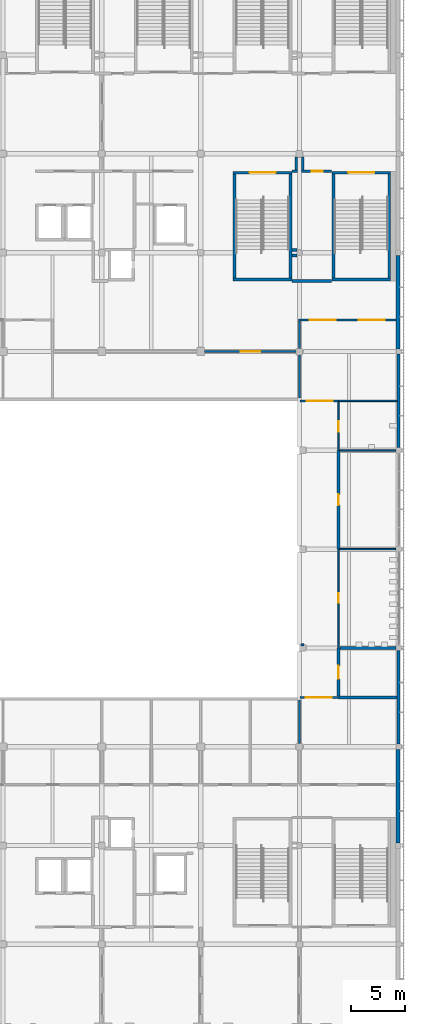
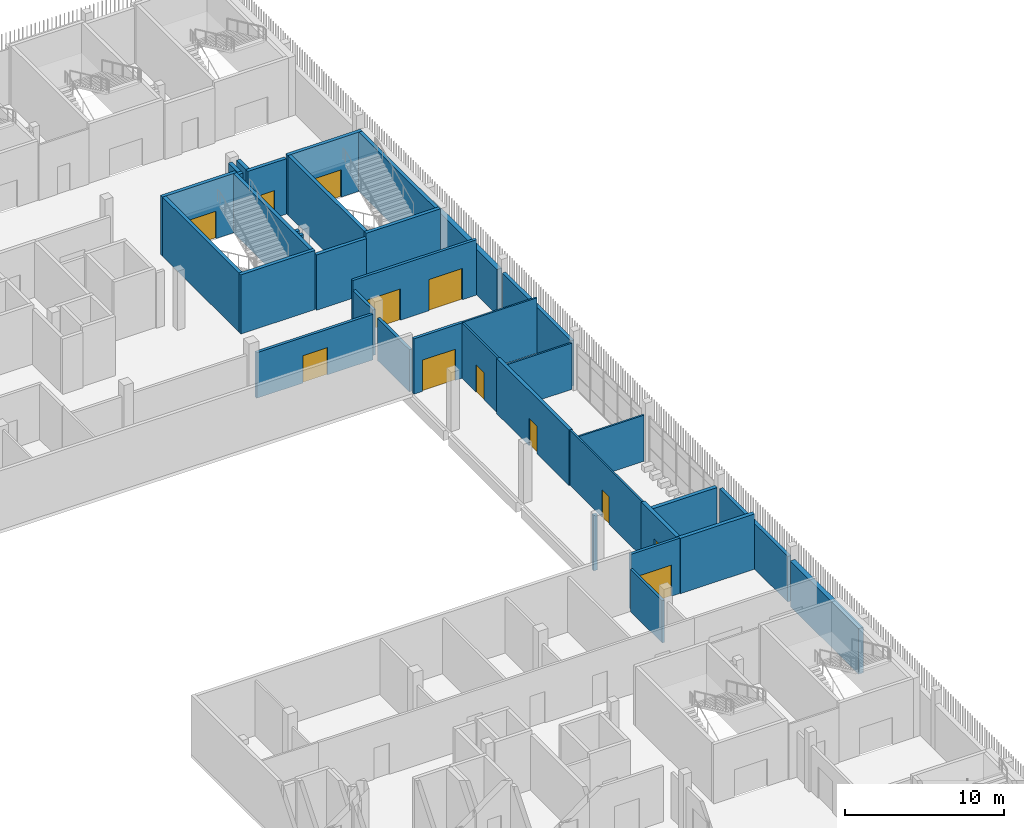
# One storey, part 81 of 124: 36 walls, 12 doors, 12 openings.
"""IFC4 building model written with IfcOpenShell, lengths in metres."""

from ifc_helpers import new_model, si_unit, direction, frame, frame_2d, origin, place, context, subcontext, project, spatial, rectangle, extrude, material, layer, layer_set, type_object, element, fill, save


model = new_model("IFC4")

# Units and contexts
model_context = context("Model", 3, precision=1e-05, world=origin(), true_north=direction((0.0, 1.0)))
body_context = subcontext(model_context, "Body", "Model", "MODEL_VIEW")
ifc_project = project(units=[si_unit("LENGTHUNIT", "METRE"), si_unit("AREAUNIT", "SQUARE_METRE"), si_unit("VOLUMEUNIT", "CUBIC_METRE"), si_unit("PLANEANGLEUNIT", "RADIAN"), si_unit("MASSUNIT", "GRAM", prefix="KILO")], contexts=[model_context])

# Site, building, storey
site_placement = place(None, origin())
site = spatial("IfcSite", under=ifc_project, at=site_placement, CompositionType="ELEMENT")
building_placement = place(site_placement, origin())
building = spatial("IfcBuilding", under=site, at=building_placement, Name="Shirokan Park Arena", CompositionType="ELEMENT")
storey_placement = place(building_placement, frame((0.0, 0.0, 20.02001953125)))
storey = spatial("IfcBuildingStorey", under=building, at=storey_placement, Name="L04", CompositionType="ELEMENT", Elevation=20.02001953125)

# Walls
ifc_material_1 = material(Name="Gypsum board")
ifc_layer_1 = layer(ifc_material_1, 0.02490234375, Name="Gypsum board, two layers")
ifc_material_2 = material(Name="Mineral wool insulation")
ifc_layer_2 = layer(ifc_material_2, 0.10009765625, Name="Acoustic mineral wool in studs")
ifc_layer_3 = layer(ifc_material_1, 0.02490234375, Name="Gypsum board, two layers")
ifc_material_3 = material(Name="Acoustic mat on resilient channel")
ifc_layer_4 = layer(ifc_material_3, 0.02490234375, Name="Acoustic mat on resilient channel")
ifc_layer_set_1 = layer_set([ifc_layer_1, ifc_layer_2, ifc_layer_3, ifc_layer_4], Name="Gypsum board, two layers + Acoustic mineral wool in studs + Acoustic mat on resilient channel")
wall_type_1 = type_object("IfcWallType", Name="Acoustic studio wall 175", PredefinedType="PARTITIONING", material=ifc_layer_set_1)
wall_1_placement = place(storey_placement, frame((136.5, 40.699951171875, 0.0), z_axis=(0.0, 0.0, 1.0), x_axis=(0.0, -1.0, 0.0)))
element("IfcWall", 1, at=wall_1_placement, inside=storey, type_object=wall_type_1, Name="Acoustic studio wall 175 L04", PredefinedType="PARTITIONING", context=body_context, shape_type="SweptSolid", body=[
    extrude(rectangle(XDim=4.0, YDim=0.175048828125, at=frame_2d((2.0, 0.0))), origin(), (0.0, 0.0, 1.0), 3.25),
])
ifc_material_4 = material(Name="Plaster")
ifc_layer_5 = layer(ifc_material_4, 0.014892578125, Name="Plaster")
ifc_material_5 = material(Name="Concrete blockwork", Category="masonry")
ifc_layer_6 = layer(ifc_material_5, 0.219970703125, Name="Concrete blockwork 220")
ifc_layer_7 = layer(ifc_material_4, 0.014892578125, Name="Plaster")
ifc_layer_set_2 = layer_set([ifc_layer_5, ifc_layer_6, ifc_layer_7], Name="Plaster + Concrete blockwork 220")
wall_type_2 = type_object("IfcWallType", Name="Compartment wall 250", PredefinedType="SOLIDWALL", material=ifc_layer_set_2)
wall_2_placement = place(storey_placement, frame((135.830078125, 81.64990234375, 0.0), z_axis=(0.0, 0.0, 1.0), x_axis=(1.0, 0.0, 0.0)))
element("IfcWall", 2, at=wall_2_placement, inside=storey, type_object=wall_type_2, Name="Compartment wall 250 L04", PredefinedType="SOLIDWALL", context=body_context, shape_type="SweptSolid", body=[
    extrude(rectangle(XDim=0.419921875, YDim=0.25, at=frame_2d((0.2099609375, 0.0))), origin(), (0.0, 0.0, 1.0), 4.25),
])
wall_3_placement = place(storey_placement, frame((136.199951171875, 90.699951171875, 0.0), z_axis=(0.0, 0.0, 1.0), x_axis=(0.0, -1.0, 0.0)))
element("IfcWall", 3, at=wall_3_placement, inside=storey, type_object=wall_type_2, Name="Compartment wall 250 L04", PredefinedType="SOLIDWALL", context=body_context, shape_type="SweptSolid", body=[
    extrude(rectangle(XDim=1.175048828125, YDim=0.25, at=frame_2d((0.58740234375, 0.0))), origin(), (0.0, 0.0, 1.0), 4.25),
])
wall_4_placement = place(storey_placement, frame((136.25, 82.14990234375, 0.0), z_axis=(0.0, 0.0, 1.0), x_axis=(-1.0, 0.0, 0.0)))
element("IfcWall", 4, at=wall_4_placement, inside=storey, type_object=wall_type_2, Name="Compartment wall 250 L04", PredefinedType="SOLIDWALL", context=body_context, shape_type="SweptSolid", body=[
    extrude(rectangle(XDim=0.419921875, YDim=0.25, at=frame_2d((0.2099609375, 0.0))), origin(), (0.0, 0.0, 1.0), 4.25),
])
wall_5_placement = place(storey_placement, frame((136.324951171875, 89.39990234375, 0.0), z_axis=(0.0, 0.0, 1.0), x_axis=(-1.0, 0.0, 0.0)))
element("IfcWall", 5, at=wall_5_placement, inside=storey, type_object=wall_type_2, Name="Compartment wall 250 L04", PredefinedType="SOLIDWALL", context=body_context, shape_type="SweptSolid", body=[
    extrude(rectangle(XDim=0.494873046875, YDim=0.25, at=frame_2d((0.24755859375, 0.0))), origin(), (0.0, 0.0, 1.0), 4.25),
])
wall_6_placement = place(storey_placement, frame((136.800048828125, 89.52490234375, 0.0), z_axis=(0.0, 0.0, 1.0), x_axis=(0.0, 1.0, 0.0)))
element("IfcWall", 6, at=wall_6_placement, inside=storey, type_object=wall_type_2, Name="Compartment wall 250 L04", PredefinedType="SOLIDWALL", context=body_context, shape_type="SweptSolid", body=[
    extrude(rectangle(XDim=1.175048828125, YDim=0.25, at=frame_2d((0.58740234375, 0.0))), origin(), (0.0, 0.0, 1.0), 4.25),
])
wall_7_placement = place(storey_placement, frame((139.469970703125, 79.300048828125, 0.0), z_axis=(0.0, 0.0, 1.0), x_axis=(-1.0, 0.0, 0.0)))
element("IfcWall", 7, at=wall_7_placement, inside=storey, type_object=wall_type_2, Name="Compartment wall 250 L04", PredefinedType="SOLIDWALL", context=body_context, shape_type="SweptSolid", body=[
    extrude(rectangle(XDim=3.639892578125, YDim=0.25, at=frame_2d((1.81982421875, 0.0))), origin(), (0.0, 0.0, 1.0), 4.25),
])

# Wall, opening, door
wall_8_placement = place(storey_placement, frame((139.469970703125, 89.39990234375, 0.0), z_axis=(0.0, 0.0, 1.0), x_axis=(-1.0, 0.0, 0.0)))
wall_8 = element("IfcWall", 8, at=wall_8_placement, inside=storey, type_object=wall_type_2, Name="Compartment wall 250 L04", PredefinedType="SOLIDWALL", context=body_context, shape_type="SweptSolid", body=[
    extrude(rectangle(XDim=2.794921875, YDim=0.25, at=frame_2d((1.3974609375, 0.0))), origin(), (0.0, 0.0, 1.0), 4.25),
])
opening_1_placement = place(wall_8_placement, frame((0.85009765625, 0.0, 0.0)))
opening_1 = element("IfcOpeningElement", 9, at=opening_1_placement, cuts=wall_8, Name="Opening D-4024", PredefinedType="OPENING", context=body_context, shape_type="SweptSolid", body=[
    extrude(rectangle(XDim=1.0, YDim=2.10009765625, at=frame_2d((0.5, 1.050048828125))), frame((0.0, 0.135009765625, 0.0), z_axis=(0.0, -1.0, 0.0), x_axis=(1.0, 0.0, 0.0)), (0.0, 0.0, 1.0), 0.27001953125),
])
ifc_material_6 = material(Name="Timber door set, fire resisting", Category="wood")
door_type_1 = type_object("IfcDoorType", Name="Door 1000 x 2100", OperationType="SINGLE_SWING_LEFT", PredefinedType="DOOR", material=ifc_material_6)
door_1_placement = place(opening_1_placement, origin())
door_1 = element("IfcDoor", 10, at=door_1_placement, inside=storey, type_object=door_type_1, Name="Door to Records Store 4.37 D-4024", OperationType="SINGLE_SWING_RIGHT", OverallHeight=2.10009765625, OverallWidth=1.0, PredefinedType="DOOR", context=body_context, shape_type="SweptSolid", body=[
    extrude(rectangle(XDim=1.0, YDim=2.10009765625, at=frame_2d((0.5, 1.050048828125))), frame((0.0, 0.02490234375, 0.0), z_axis=(0.0, -1.0, 0.0), x_axis=(1.0, 0.0, 0.0)), (0.0, 0.0, 1.0), 0.050048828125),
])
fill(opening_1, door_1)

wall_9_placement = place(storey_placement, frame((140.10009765625, 63.699951171875, 0.0), z_axis=(0.0, 0.0, 1.0), x_axis=(0.0, -1.0, 0.0)))
wall_9 = element("IfcWall", 11, at=wall_9_placement, inside=storey, type_object=wall_type_2, Name="Compartment wall 250 L04", PredefinedType="SOLIDWALL", context=body_context, shape_type="SweptSolid", body=[
    extrude(rectangle(XDim=9.099853515625, YDim=0.25, at=frame_2d((4.5498046875, 0.0))), origin(), (0.0, 0.0, 1.0), 4.25),
])
opening_2_placement = place(wall_9_placement, frame((4.050048828125, 0.0, 0.0)))
opening_2 = element("IfcOpeningElement", 12, at=opening_2_placement, cuts=wall_9, Name="Opening D-4045", PredefinedType="OPENING", context=body_context, shape_type="SweptSolid", body=[
    extrude(rectangle(XDim=1.0, YDim=2.10009765625, at=frame_2d((0.5, 1.050048828125))), frame((0.0, 0.135009765625, 0.0), z_axis=(0.0, -1.0, 0.0), x_axis=(1.0, 0.0, 0.0)), (0.0, 0.0, 1.0), 0.27001953125),
])
door_2_placement = place(opening_2_placement, origin())
door_2 = element("IfcDoor", 13, at=door_2_placement, inside=storey, type_object=door_type_1, Name="Door to Operations Store 4.23 D-4045", OperationType="SINGLE_SWING_RIGHT", OverallHeight=2.10009765625, OverallWidth=1.0, PredefinedType="DOOR", context=body_context, shape_type="SweptSolid", body=[
    extrude(rectangle(XDim=1.0, YDim=2.10009765625, at=frame_2d((0.5, 1.050048828125))), frame((0.0, 0.02490234375, 0.0), z_axis=(0.0, -1.0, 0.0), x_axis=(1.0, 0.0, 0.0)), (0.0, 0.0, 1.0), 0.050048828125),
])
fill(opening_2, door_2)

ifc_layer_8 = layer(ifc_material_1, 0.02490234375, Name="Gypsum board, two layers")
ifc_layer_9 = layer(ifc_material_2, 0.14990234375, Name="Mineral wool insulation")
ifc_layer_10 = layer(ifc_material_1, 0.02490234375, Name="Gypsum board, two layers")
ifc_layer_set_3 = layer_set([ifc_layer_8, ifc_layer_9, ifc_layer_10], Name="Gypsum board, two layers + Mineral wool insulation")
wall_type_3 = type_object("IfcWallType", Name="Corridor wall 200", PredefinedType="PARTITIONING", material=ifc_layer_set_3)
wall_10_placement = place(storey_placement, frame((127.75, 72.800048828125, 0.0), z_axis=(0.0, 0.0, 1.0), x_axis=(1.0, 0.0, 0.0)))
wall_10 = element("IfcWall", 14, at=wall_10_placement, inside=storey, type_object=wall_type_3, Name="Corridor wall 200 L04", PredefinedType="PARTITIONING", context=body_context, shape_type="SweptSolid", body=[
    extrude(rectangle(XDim=8.449951171875, YDim=0.199951171875, at=frame_2d((4.22509765625, 0.0))), origin(), (0.0, 0.0, 1.0), 3.5),
])
opening_3_placement = place(wall_10_placement, frame((3.35009765625, 0.0, 0.0)))
opening_3 = element("IfcOpeningElement", 15, at=opening_3_placement, cuts=wall_10, Name="Opening D-4030", PredefinedType="OPENING", context=body_context, shape_type="SweptSolid", body=[
    extrude(rectangle(XDim=1.800048828125, YDim=2.10009765625, at=frame_2d((0.89990234375, 1.050048828125))), frame((0.0, 0.10986328125, 0.0), z_axis=(0.0, -1.0, 0.0), x_axis=(1.0, 0.0, 0.0)), (0.0, 0.0, 1.0), 0.219970703125),
])
door_type_2 = type_object("IfcDoorType", Name="Double door 1800 x 2100", OperationType="DOUBLE_DOOR_SINGLE_SWING", PredefinedType="DOOR", material=ifc_material_6)
door_3_placement = place(opening_3_placement, origin())
door_3 = element("IfcDoor", 16, at=door_3_placement, inside=storey, type_object=door_type_2, Name="Door to Open Plan Office 4.31 D-4030", OperationType="DOUBLE_DOOR_SINGLE_SWING", OverallHeight=2.10009765625, OverallWidth=1.800048828125, PredefinedType="DOOR", context=body_context, shape_type="SweptSolid", body=[
    extrude(rectangle(XDim=1.800048828125, YDim=2.10009765625, at=frame_2d((0.89990234375, 1.050048828125))), frame((0.0, 0.02490234375, 0.0), z_axis=(0.0, -1.0, 0.0), x_axis=(1.0, 0.0, 0.0)), (0.0, 0.0, 1.0), 0.050048828125),
])
fill(opening_3, door_3)

# Walls
wall_11_placement = place(storey_placement, frame((136.5, 72.5, 0.0), z_axis=(0.0, 0.0, 1.0), x_axis=(0.0, -1.0, 0.0)))
element("IfcWall", 17, at=wall_11_placement, inside=storey, type_object=wall_type_3, Name="Corridor wall 200 L04", PredefinedType="PARTITIONING", context=body_context, shape_type="SweptSolid", body=[
    extrude(rectangle(XDim=4.0, YDim=0.199951171875, at=frame_2d((2.0, 0.0))), origin(), (0.0, 0.0, 1.0), 3.25),
])
wall_12_placement = place(storey_placement, frame((136.5, 75.60009765625, 0.0), z_axis=(0.0, 0.0, 1.0), x_axis=(0.0, -1.0, 0.0)))
element("IfcWall", 18, at=wall_12_placement, inside=storey, type_object=wall_type_3, Name="Corridor wall 200 L04", PredefinedType="PARTITIONING", context=body_context, shape_type="SweptSolid", body=[
    extrude(rectangle(XDim=2.5, YDim=0.199951171875, at=frame_2d((1.25, 0.0))), origin(), (0.0, 0.0, 1.0), 3.5),
])

# Wall, opening, door
wall_13_placement = place(storey_placement, frame((136.530029296875, 40.949951171875, 0.0), z_axis=(0.0, 0.0, 1.0), x_axis=(1.0, 0.0, 0.0)))
wall_13 = element("IfcWall", 19, at=wall_13_placement, inside=storey, type_object=wall_type_3, Name="Corridor wall 200 L04", PredefinedType="PARTITIONING", context=body_context, shape_type="SweptSolid", body=[
    extrude(rectangle(XDim=3.570068359375, YDim=0.199951171875, at=frame_2d((1.78515625, 0.0))), origin(), (0.0, 0.0, 1.0), 4.25),
])
opening_4_placement = place(wall_13_placement, frame((0.550048828125, 0.0, 0.0)))
opening_4 = element("IfcOpeningElement", 20, at=opening_4_placement, cuts=wall_13, Name="Opening D-4095", PredefinedType="OPENING", context=body_context, shape_type="SweptSolid", body=[
    extrude(rectangle(XDim=2.39990234375, YDim=2.39990234375, at=frame_2d((1.199951171875, 1.199951171875))), frame((0.0, 0.10986328125, 0.0), z_axis=(0.0, -1.0, 0.0), x_axis=(1.0, 0.0, 0.0)), (0.0, 0.0, 1.0), 0.219970703125),
])
ifc_material_7 = material(Name="Steel door set, fire resisting", Category="steel")
door_type_3 = type_object("IfcDoorType", Name="Double door 2400 x 2400", OperationType="DOUBLE_DOOR_SINGLE_SWING", PredefinedType="DOOR", material=ifc_material_7)
door_4_placement = place(opening_4_placement, origin())
door_4 = element("IfcDoor", 21, at=door_4_placement, inside=storey, type_object=door_type_3, Name="Door between Concourse Link 2.4 and Operations Corridor 4.02 D-4095", OperationType="DOUBLE_DOOR_SINGLE_SWING", OverallHeight=2.39990234375, OverallWidth=2.39990234375, PredefinedType="DOOR", context=body_context, shape_type="SweptSolid", body=[
    extrude(rectangle(XDim=2.39990234375, YDim=2.39990234375, at=frame_2d((1.199951171875, 1.199951171875))), frame((0.0, 0.02490234375, 0.0), z_axis=(0.0, -1.0, 0.0), x_axis=(1.0, 0.0, 0.0)), (0.0, 0.0, 1.0), 0.050048828125),
])
fill(opening_4, door_4)

# Wall
wall_14_placement = place(storey_placement, frame((136.925048828125, 45.800048828125, 0.0), z_axis=(0.0, 0.0, 1.0), x_axis=(-1.0, 0.0, 0.0)))
element("IfcWall", 22, at=wall_14_placement, inside=storey, type_object=wall_type_3, Name="Corridor wall 200 L04", PredefinedType="PARTITIONING", context=body_context, shape_type="SweptSolid", body=[
    extrude(rectangle(XDim=0.300048828125, YDim=0.199951171875, at=frame_2d((0.14990234375, 0.0))), origin(), (0.0, 0.0, 1.0), 4.25),
])

# Wall, opening, door
wall_15_placement = place(storey_placement, frame((140.10009765625, 68.25, 0.0), z_axis=(0.0, 0.0, 1.0), x_axis=(-1.0, 0.0, 0.0)))
wall_15 = element("IfcWall", 23, at=wall_15_placement, inside=storey, type_object=wall_type_3, Name="Corridor wall 200 L04", PredefinedType="PARTITIONING", context=body_context, shape_type="SweptSolid", body=[
    extrude(rectangle(XDim=3.570068359375, YDim=0.199951171875, at=frame_2d((1.78515625, 0.0))), origin(), (0.0, 0.0, 1.0), 4.25),
])
opening_5_placement = place(wall_15_placement, frame((0.550048828125, 0.0, 0.0)))
opening_5 = element("IfcOpeningElement", 24, at=opening_5_placement, cuts=wall_15, Name="Opening D-4105", PredefinedType="OPENING", context=body_context, shape_type="SweptSolid", body=[
    extrude(rectangle(XDim=2.39990234375, YDim=2.39990234375, at=frame_2d((1.199951171875, 1.199951171875))), frame((0.0, 0.10986328125, 0.0), z_axis=(0.0, -1.0, 0.0), x_axis=(1.0, 0.0, 0.0)), (0.0, 0.0, 1.0), 0.219970703125),
])
door_5_placement = place(opening_5_placement, origin())
door_5 = element("IfcDoor", 25, at=door_5_placement, inside=storey, type_object=door_type_3, Name="Door between Concourse Link 3.4 and Operations Corridor 4.02 D-4105", OperationType="DOUBLE_DOOR_SINGLE_SWING", OverallHeight=2.39990234375, OverallWidth=2.39990234375, PredefinedType="DOOR", context=body_context, shape_type="SweptSolid", body=[
    extrude(rectangle(XDim=2.39990234375, YDim=2.39990234375, at=frame_2d((1.199951171875, 1.199951171875))), frame((0.0, 0.02490234375, 0.0), z_axis=(0.0, -1.0, 0.0), x_axis=(1.0, 0.0, 0.0)), (0.0, 0.0, 1.0), 0.050048828125),
])
fill(opening_5, door_5)

# Wall, openings, doors
wall_16_placement = place(storey_placement, frame((145.39990234375, 75.699951171875, 0.0), z_axis=(0.0, 0.0, 1.0), x_axis=(-1.0, 0.0, 0.0)))
wall_16 = element("IfcWall", 26, at=wall_16_placement, inside=storey, type_object=wall_type_3, Name="Corridor wall 200 L04", PredefinedType="PARTITIONING", context=body_context, shape_type="SweptSolid", body=[
    extrude(rectangle(XDim=9.0, YDim=0.199951171875, at=frame_2d((4.5, 0.0))), origin(), (0.0, 0.0, 1.0), 4.25),
])
opening_6_placement = place(wall_16_placement, frame((1.050048828125, 0.0, 0.0)))
opening_6 = element("IfcOpeningElement", 27, at=opening_6_placement, cuts=wall_16, Name="Opening D-4097", PredefinedType="OPENING", context=body_context, shape_type="SweptSolid", body=[
    extrude(rectangle(XDim=2.39990234375, YDim=2.39990234375, at=frame_2d((1.199951171875, 1.199951171875))), frame((0.0, 0.10986328125, 0.0), z_axis=(0.0, -1.0, 0.0), x_axis=(1.0, 0.0, 0.0)), (0.0, 0.0, 1.0), 0.219970703125),
])
opening_7_placement = place(wall_16_placement, frame((5.550048828125, 0.0, 0.0)))
opening_7 = element("IfcOpeningElement", 28, at=opening_7_placement, cuts=wall_16, Name="Opening D-4098", PredefinedType="OPENING", context=body_context, shape_type="SweptSolid", body=[
    extrude(rectangle(XDim=2.39990234375, YDim=2.39990234375, at=frame_2d((1.199951171875, 1.199951171875))), frame((0.0, 0.10986328125, 0.0), z_axis=(0.0, -1.0, 0.0), x_axis=(1.0, 0.0, 0.0)), (0.0, 0.0, 1.0), 0.219970703125),
])
door_6_placement = place(opening_6_placement, origin())
door_6 = element("IfcDoor", 29, at=door_6_placement, inside=storey, type_object=door_type_3, Name="Door between Service Corridor 3.4 and Concourse Link 3.4 D-4097", OperationType="DOUBLE_DOOR_SINGLE_SWING", OverallHeight=2.39990234375, OverallWidth=2.39990234375, PredefinedType="DOOR", context=body_context, shape_type="SweptSolid", body=[
    extrude(rectangle(XDim=2.39990234375, YDim=2.39990234375, at=frame_2d((1.199951171875, 1.199951171875))), frame((0.0, 0.02490234375, 0.0), z_axis=(0.0, -1.0, 0.0), x_axis=(1.0, 0.0, 0.0)), (0.0, 0.0, 1.0), 0.050048828125),
])
fill(opening_6, door_6)
door_7_placement = place(opening_7_placement, origin())
door_7 = element("IfcDoor", 30, at=door_7_placement, inside=storey, type_object=door_type_3, Name="Door between Service Corridor 3.4 and Concourse Link 3.4 D-4098", OperationType="DOUBLE_DOOR_SINGLE_SWING", OverallHeight=2.39990234375, OverallWidth=2.39990234375, PredefinedType="DOOR", context=body_context, shape_type="SweptSolid", body=[
    extrude(rectangle(XDim=2.39990234375, YDim=2.39990234375, at=frame_2d((1.199951171875, 1.199951171875))), frame((0.0, 0.02490234375, 0.0), z_axis=(0.0, -1.0, 0.0), x_axis=(1.0, 0.0, 0.0)), (0.0, 0.0, 1.0), 0.050048828125),
])
fill(opening_7, door_7)

# Walls
ifc_material_8 = material(Name="Cedar cladding")
ifc_layer_11 = layer(ifc_material_8, 0.030029296875, Name="Cedar cladding")
ifc_layer_12 = layer(ifc_material_2, 0.10009765625, Name="Mineral wool insulation")
ifc_material_9 = material(Name="Concrete C35", Category="concrete")
ifc_layer_13 = layer(ifc_material_9, 0.199951171875, Name="Concrete C35")
ifc_material_10 = material(Name="Gypsum board lining")
ifc_layer_14 = layer(ifc_material_10, 0.02001953125, Name="Gypsum board lining")
ifc_layer_set_4 = layer_set([ifc_layer_11, ifc_layer_12, ifc_layer_13, ifc_layer_14], Name="Cedar cladding + Mineral wool insulation + Concrete C35 + Gypsum board lining")
wall_type_4 = type_object("IfcWallType", Name="Insulated tower wall 350", PredefinedType="SOLIDWALL", material=ifc_layer_set_4)
for number, where, z_axis, x_axis, name in (
    (31, (145.574951171875, 27.550048828125, 0.0), (0.0, 0.0, 1.0), (0.0, 1.0, 0.0), "East facade wall bay 4 L04"),
    (32, (145.574951171875, 73.050048828125, 0.0), (0.0, 0.0, 1.0), (0.0, 1.0, 0.0), "East facade wall bay 9 L04"),
):
    element("IfcWall", number, at=place(storey_placement, frame(where, z_axis=z_axis, x_axis=x_axis)), inside=storey, type_object=wall_type_4, Name=name, PredefinedType="SOLIDWALL", context=body_context, shape_type="SweptSolid", body=[
        extrude(rectangle(XDim=8.599853515625, YDim=0.35009765625, at=frame_2d((4.2998046875, 0.0))), origin(), (0.0, 0.0, 1.0), 3.5),
    ])
ifc_layer_15 = layer(ifc_material_4, 0.012451171875, Name="Plaster")
ifc_layer_16 = layer(ifc_material_5, 0.25, Name="Concrete blockwork 250")
ifc_layer_17 = layer(ifc_material_4, 0.012451171875, Name="Plaster")
ifc_layer_set_5 = layer_set([ifc_layer_15, ifc_layer_16, ifc_layer_17], Name="Plaster + Concrete blockwork 250")
wall_type_5 = type_object("IfcWallType", Name="Plant room wall 275", PredefinedType="SOLIDWALL", material=ifc_layer_set_5)
wall_17_placement = place(storey_placement, frame((140.10009765625, 40.949951171875, 0.0), z_axis=(0.0, 0.0, 1.0), x_axis=(1.0, 0.0, 0.0)))
element("IfcWall", 33, at=wall_17_placement, inside=storey, type_object=wall_type_5, Name="Plant room wall 275 L04", PredefinedType="SOLIDWALL", context=body_context, shape_type="SweptSolid", body=[
    extrude(rectangle(XDim=5.39990234375, YDim=0.27490234375, at=frame_2d((2.699951171875, 0.0))), origin(), (0.0, 0.0, 1.0), 4.25),
])

# Wall, opening, door
wall_18_placement = place(storey_placement, frame((140.10009765625, 45.5, 0.0), z_axis=(0.0, 0.0, 1.0), x_axis=(0.0, -1.0, 0.0)))
wall_18 = element("IfcWall", 34, at=wall_18_placement, inside=storey, type_object=wall_type_5, Name="Plant room wall 275 L04", PredefinedType="SOLIDWALL", context=body_context, shape_type="SweptSolid", body=[
    extrude(rectangle(XDim=4.41259765625, YDim=0.27490234375, at=frame_2d((2.206298828125, 0.0))), origin(), (0.0, 0.0, 1.0), 4.25),
])
opening_8_placement = place(wall_18_placement, frame((1.64990234375, 0.0, 0.0)))
opening_8 = element("IfcOpeningElement", 35, at=opening_8_placement, cuts=wall_18, Name="Opening D-4043", PredefinedType="OPENING", context=body_context, shape_type="SweptSolid", body=[
    extrude(rectangle(XDim=1.199951171875, YDim=2.39990234375, at=frame_2d((0.60009765625, 1.199951171875))), frame((0.0, 0.1474609375, 0.0), z_axis=(0.0, -1.0, 0.0), x_axis=(1.0, 0.0, 0.0)), (0.0, 0.0, 1.0), 0.294921875),
])
ifc_material_11 = material(Name="Louvred steel door set, fire resisting", Category="steel")
door_type_4 = type_object("IfcDoorType", Name="Plant room door 1200 x 2400", OperationType="SINGLE_SWING_LEFT", PredefinedType="DOOR", material=ifc_material_11)
door_8_placement = place(opening_8_placement, origin())
door_8 = element("IfcDoor", 36, at=door_8_placement, inside=storey, type_object=door_type_4, Name="Door to Lighting Gallery Room 4.21 D-4043", OperationType="SINGLE_SWING_LEFT", OverallHeight=2.39990234375, OverallWidth=1.199951171875, PredefinedType="DOOR", context=body_context, shape_type="SweptSolid", body=[
    extrude(rectangle(XDim=1.199951171875, YDim=2.39990234375, at=frame_2d((0.60009765625, 1.199951171875))), frame((0.0, 0.02490234375, 0.0), z_axis=(0.0, -1.0, 0.0), x_axis=(1.0, 0.0, 0.0)), (0.0, 0.0, 1.0), 0.050048828125),
])
fill(opening_8, door_8)

# Walls
wall_19_placement = place(storey_placement, frame((140.237548828125, 45.5, 0.0), z_axis=(0.0, 0.0, 1.0), x_axis=(1.0, 0.0, 0.0)))
element("IfcWall", 37, at=wall_19_placement, inside=storey, type_object=wall_type_5, Name="Plant room wall 275 L04", PredefinedType="SOLIDWALL", context=body_context, shape_type="SweptSolid", body=[
    extrude(rectangle(XDim=5.162353515625, YDim=0.27490234375, at=frame_2d((2.5810546875, 0.0))), origin(), (0.0, 0.0, 1.0), 3.550048828125),
])
ifc_material_12 = material(Name="Concrete C40/50 precast", Category="concrete")
ifc_layer_18 = layer(ifc_material_12, 0.10009765625, Name="Concrete C40/50 precast")
ifc_layer_19 = layer(ifc_material_2, 0.10009765625, Name="Mineral wool insulation")
ifc_layer_20 = layer(ifc_material_10, 0.050048828125, Name="Gypsum board lining")
ifc_layer_set_6 = layer_set([ifc_layer_18, ifc_layer_19, ifc_layer_20], Name="Concrete C40/50 precast + Mineral wool insulation + Gypsum board lining")
wall_type_6 = type_object("IfcWallType", Name="Precast concrete panel wall 250", PredefinedType="SOLIDWALL", material=ifc_layer_set_6)
for number, where, z_axis, x_axis, name in (
    (38, (145.625, 36.64990234375, 0.0), (0.0, 0.0, 1.0), (0.0, 1.0, 0.0), "East facade wall bay 5 L04"),
    (39, (145.625, 63.949951171875, 0.0), (0.0, 0.0, 1.0), (0.0, 1.0, 0.0), "East facade wall bay 8 L04"),
):
    element("IfcWall", number, at=place(storey_placement, frame(where, z_axis=z_axis, x_axis=x_axis)), inside=storey, type_object=wall_type_6, Name=name, PredefinedType="SOLIDWALL", context=body_context, shape_type="SweptSolid", body=[
        extrude(rectangle(XDim=8.60009765625, YDim=0.25, at=frame_2d((4.300048828125, 0.0))), origin(), (0.0, 0.0, 1.0), 3.5),
    ])
ifc_material_13 = material(Name="Concrete C40/50", Category="concrete")
ifc_layer_21 = layer(ifc_material_13, 0.25)
ifc_layer_set_7 = layer_set([ifc_layer_21], Name="Concrete C40/50 250 mm")
wall_type_7 = type_object("IfcWallType", Name="RC shear wall 250", PredefinedType="SHEAR", material=ifc_layer_set_7)
wall_20_placement = place(storey_placement, frame((144.89990234375, 79.425048828125, 0.0), z_axis=(0.0, 0.0, 1.0), x_axis=(-1.0, 0.0, 0.0)))
element("IfcWall", 40, at=wall_20_placement, inside=storey, type_object=wall_type_7, Name="Shaft wall Exit Stair 3.E S L04", PredefinedType="SHEAR", context=body_context, shape_type="SweptSolid", body=[
    extrude(rectangle(XDim=5.39990234375, YDim=0.25, at=frame_2d((2.699951171875, 0.0))), origin(), (0.0, 0.0, 1.0), 4.550048828125),
])

# Wall, opening, door
wall_21_placement = place(storey_placement, frame((144.89990234375, 89.27490234375, 0.0), z_axis=(0.0, 0.0, 1.0), x_axis=(-1.0, 0.0, 0.0)))
wall_21 = element("IfcWall", 41, at=wall_21_placement, inside=storey, type_object=wall_type_7, Name="Shaft wall Exit Stair 3.E N L04", PredefinedType="SHEAR", context=body_context, shape_type="SweptSolid", body=[
    extrude(rectangle(XDim=5.39990234375, YDim=0.25, at=frame_2d((2.699951171875, 0.0))), origin(), (0.0, 0.0, 1.0), 4.550048828125),
])
opening_9_placement = place(wall_21_placement, frame((1.5, 0.0, 0.0)))
opening_9 = element("IfcOpeningElement", 42, at=opening_9_placement, cuts=wall_21, Name="Opening D-4146", PredefinedType="OPENING", context=body_context, shape_type="SweptSolid", body=[
    extrude(rectangle(XDim=2.39990234375, YDim=2.10009765625, at=frame_2d((1.199951171875, 1.050048828125))), frame((0.0, 0.135009765625, 0.0), z_axis=(0.0, -1.0, 0.0), x_axis=(1.0, 0.0, 0.0)), (0.0, 0.0, 1.0), 0.27001953125),
])
door_type_5 = type_object("IfcDoorType", Name="Stair door 2400 x 2100", OperationType="DOUBLE_DOOR_SINGLE_SWING", PredefinedType="DOOR", material=ifc_material_7)
door_9_placement = place(opening_9_placement, origin())
door_9 = element("IfcDoor", 43, at=door_9_placement, inside=storey, type_object=door_type_5, Name="Stair door Exit Stair 3.E D-4146", OperationType="DOUBLE_DOOR_SINGLE_SWING", OverallHeight=2.10009765625, OverallWidth=2.39990234375, PredefinedType="DOOR", context=body_context, shape_type="SweptSolid", body=[
    extrude(rectangle(XDim=2.39990234375, YDim=2.10009765625, at=frame_2d((1.199951171875, 1.050048828125))), frame((0.0, 0.02490234375, 0.0), z_axis=(0.0, -1.0, 0.0), x_axis=(1.0, 0.0, 0.0)), (0.0, 0.0, 1.0), 0.050048828125),
])
fill(opening_9, door_9)

# Walls
for number, where, z_axis, x_axis, name in (
    (44, (139.625, 89.14990234375, 0.0), (0.0, 0.0, 1.0), (0.0, -1.0, 0.0), "Shaft wall Exit Stair 3.E W L04"),
    (45, (144.77490234375, 89.14990234375, 0.0), (0.0, 0.0, 1.0), (0.0, -1.0, 0.0), "Shaft wall Exit Stair 3.E E L04"),
):
    element("IfcWall", number, at=place(storey_placement, frame(where, z_axis=z_axis, x_axis=x_axis)), inside=storey, type_object=wall_type_7, Name=name, PredefinedType="SHEAR", context=body_context, shape_type="SweptSolid", body=[
        extrude(rectangle(XDim=9.599853515625, YDim=0.25, at=frame_2d((4.7998046875, 0.0))), origin(), (0.0, 0.0, 1.0), 4.550048828125),
    ])
wall_22_placement = place(storey_placement, frame((135.800048828125, 79.425048828125, 0.0), z_axis=(0.0, 0.0, 1.0), x_axis=(-1.0, 0.0, 0.0)))
element("IfcWall", 46, at=wall_22_placement, inside=storey, type_object=wall_type_7, Name="Shaft wall Exit Stair 3.F S L04", PredefinedType="SHEAR", context=body_context, shape_type="SweptSolid", body=[
    extrude(rectangle(XDim=5.400146484375, YDim=0.25, at=frame_2d((2.7001953125, 0.0))), origin(), (0.0, 0.0, 1.0), 4.550048828125),
])

# Wall, opening, door
wall_23_placement = place(storey_placement, frame((135.800048828125, 89.27490234375, 0.0), z_axis=(0.0, 0.0, 1.0), x_axis=(-1.0, 0.0, 0.0)))
wall_23 = element("IfcWall", 47, at=wall_23_placement, inside=storey, type_object=wall_type_7, Name="Shaft wall Exit Stair 3.F N L04", PredefinedType="SHEAR", context=body_context, shape_type="SweptSolid", body=[
    extrude(rectangle(XDim=5.400146484375, YDim=0.25, at=frame_2d((2.7001953125, 0.0))), origin(), (0.0, 0.0, 1.0), 4.550048828125),
])
opening_10_placement = place(wall_23_placement, frame((1.5, 0.0, 0.0)))
opening_10 = element("IfcOpeningElement", 48, at=opening_10_placement, cuts=wall_23, Name="Opening D-4147", PredefinedType="OPENING", context=body_context, shape_type="SweptSolid", body=[
    extrude(rectangle(XDim=2.39990234375, YDim=2.10009765625, at=frame_2d((1.199951171875, 1.050048828125))), frame((0.0, 0.135009765625, 0.0), z_axis=(0.0, -1.0, 0.0), x_axis=(1.0, 0.0, 0.0)), (0.0, 0.0, 1.0), 0.27001953125),
])
door_10_placement = place(opening_10_placement, origin())
door_10 = element("IfcDoor", 49, at=door_10_placement, inside=storey, type_object=door_type_5, Name="Stair door Exit Stair 3.F D-4147", OperationType="DOUBLE_DOOR_SINGLE_SWING", OverallHeight=2.10009765625, OverallWidth=2.39990234375, PredefinedType="DOOR", context=body_context, shape_type="SweptSolid", body=[
    extrude(rectangle(XDim=2.39990234375, YDim=2.10009765625, at=frame_2d((1.199951171875, 1.050048828125))), frame((0.0, 0.02490234375, 0.0), z_axis=(0.0, -1.0, 0.0), x_axis=(1.0, 0.0, 0.0)), (0.0, 0.0, 1.0), 0.050048828125),
])
fill(opening_10, door_10)

# Walls
for number, where, z_axis, x_axis, name in (
    (50, (130.52490234375, 89.14990234375, 0.0), (0.0, 0.0, 1.0), (0.0, -1.0, 0.0), "Shaft wall Exit Stair 3.F W L04"),
    (51, (135.675048828125, 89.14990234375, 0.0), (0.0, 0.0, 1.0), (0.0, -1.0, 0.0), "Shaft wall Exit Stair 3.F E L04"),
):
    element("IfcWall", number, at=place(storey_placement, frame(where, z_axis=z_axis, x_axis=x_axis)), inside=storey, type_object=wall_type_7, Name=name, PredefinedType="SHEAR", context=body_context, shape_type="SweptSolid", body=[
        extrude(rectangle(XDim=9.599853515625, YDim=0.25, at=frame_2d((4.7998046875, 0.0))), origin(), (0.0, 0.0, 1.0), 4.550048828125),
    ])

# Wall, opening, door
ifc_material_14 = material(Name="Ceramic tile")
ifc_layer_22 = layer(ifc_material_14, 0.010009765625, Name="Ceramic tile")
ifc_material_15 = material(Name="Cement board")
ifc_layer_23 = layer(ifc_material_15, 0.012451171875, Name="Cement board")
ifc_layer_24 = layer(ifc_material_2, 0.080078125, Name="Mineral wool insulation")
ifc_layer_25 = layer(ifc_material_15, 0.012451171875, Name="Cement board")
ifc_layer_26 = layer(ifc_material_14, 0.010009765625, Name="Ceramic tile")
ifc_layer_set_8 = layer_set([ifc_layer_22, ifc_layer_23, ifc_layer_24, ifc_layer_25, ifc_layer_26], Name="Ceramic tile + Cement board + Mineral wool insulation")
wall_type_8 = type_object("IfcWallType", Name="Wet-area wall 125", PredefinedType="PARTITIONING", material=ifc_layer_set_8)
wall_24_placement = place(storey_placement, frame((140.10009765625, 54.60009765625, 0.0), z_axis=(0.0, 0.0, 1.0), x_axis=(0.0, -1.0, 0.0)))
wall_24 = element("IfcWall", 52, at=wall_24_placement, inside=storey, type_object=wall_type_8, Name="Wet-area wall 125 L04", PredefinedType="PARTITIONING", context=body_context, shape_type="SweptSolid", body=[
    extrude(rectangle(XDim=9.10009765625, YDim=0.125, at=frame_2d((4.550048828125, 0.0))), origin(), (0.0, 0.0, 1.0), 4.25),
])
opening_11_placement = place(wall_24_placement, frame((4.050048828125, 0.0, 0.0)))
opening_11 = element("IfcOpeningElement", 53, at=opening_11_placement, cuts=wall_24, Name="Opening D-4044", PredefinedType="OPENING", context=body_context, shape_type="SweptSolid", body=[
    extrude(rectangle(XDim=0.89990234375, YDim=2.10009765625, at=frame_2d((0.449951171875, 1.050048828125))), frame((0.0, 0.072509765625, 0.0), z_axis=(0.0, -1.0, 0.0), x_axis=(1.0, 0.0, 0.0)), (0.0, 0.0, 1.0), 0.14501953125),
])
door_type_6 = type_object("IfcDoorType", Name="Door 900 x 2100", OperationType="SINGLE_SWING_LEFT", PredefinedType="DOOR", material=ifc_material_6)
door_11_placement = place(opening_11_placement, origin())
door_11 = element("IfcDoor", 54, at=door_11_placement, inside=storey, type_object=door_type_6, Name="Door to Staff WC 4.22 D-4044", OperationType="SINGLE_SWING_RIGHT", OverallHeight=2.10009765625, OverallWidth=0.89990234375, PredefinedType="DOOR", context=body_context, shape_type="SweptSolid", body=[
    extrude(rectangle(XDim=0.89990234375, YDim=2.10009765625, at=frame_2d((0.449951171875, 1.050048828125))), frame((0.0, 0.02490234375, 0.0), z_axis=(0.0, -1.0, 0.0), x_axis=(1.0, 0.0, 0.0)), (0.0, 0.0, 1.0), 0.050048828125),
])
fill(opening_11, door_11)

wall_25_placement = place(storey_placement, frame((140.10009765625, 68.14990234375, 0.0), z_axis=(0.0, 0.0, 1.0), x_axis=(0.0, -1.0, 0.0)))
wall_25 = element("IfcWall", 55, at=wall_25_placement, inside=storey, type_object=wall_type_8, Name="Wet-area wall 125 L04", PredefinedType="PARTITIONING", context=body_context, shape_type="SweptSolid", body=[
    extrude(rectangle(XDim=4.449951171875, YDim=0.125, at=frame_2d((2.22509765625, 0.0))), origin(), (0.0, 0.0, 1.0), 4.25),
])
opening_12_placement = place(wall_25_placement, frame((1.75, 0.0, 0.0)))
opening_12 = element("IfcOpeningElement", 56, at=opening_12_placement, cuts=wall_25, Name="Opening D-4046", PredefinedType="OPENING", context=body_context, shape_type="SweptSolid", body=[
    extrude(rectangle(XDim=1.0, YDim=2.10009765625, at=frame_2d((0.5, 1.050048828125))), frame((0.0, 0.072509765625, 0.0), z_axis=(0.0, -1.0, 0.0), x_axis=(1.0, 0.0, 0.0)), (0.0, 0.0, 1.0), 0.14501953125),
])
door_type_7 = type_object("IfcDoorType", Name="Accessible WC door 1000 x 2100", OperationType="SINGLE_SWING_RIGHT", PredefinedType="DOOR", material=ifc_material_6)
door_12_placement = place(opening_12_placement, origin())
door_12 = element("IfcDoor", 57, at=door_12_placement, inside=storey, type_object=door_type_7, Name="Door to Accessible WC 4.24 D-4046", OperationType="SINGLE_SWING_LEFT", OverallHeight=2.10009765625, OverallWidth=1.0, PredefinedType="DOOR", context=body_context, shape_type="SweptSolid", body=[
    extrude(rectangle(XDim=1.0, YDim=2.10009765625, at=frame_2d((0.5, 1.050048828125))), frame((0.0, 0.02490234375, 0.0), z_axis=(0.0, -1.0, 0.0), x_axis=(1.0, 0.0, 0.0)), (0.0, 0.0, 1.0), 0.050048828125),
])
fill(opening_12, door_12)

# Walls
for number, where, z_axis, x_axis, name in (
    (58, (140.22509765625, 54.60009765625, 0.0), (0.0, 0.0, 1.0), (1.0, 0.0, 0.0), "Wet-area wall 125 L04"),
    (59, (140.22509765625, 63.699951171875, 0.0), (0.0, 0.0, 1.0), (1.0, 0.0, 0.0), "Wet-area wall 125 L04"),
):
    element("IfcWall", number, at=place(storey_placement, frame(where, z_axis=z_axis, x_axis=x_axis)), inside=storey, type_object=wall_type_8, Name=name, PredefinedType="PARTITIONING", context=body_context, shape_type="SweptSolid", body=[
        extrude(rectangle(XDim=5.1748046875, YDim=0.125, at=frame_2d((2.58740234375, 0.0))), origin(), (0.0, 0.0, 1.0), 3.550048828125),
    ])
wall_26_placement = place(storey_placement, frame((145.5, 68.25, 0.0), z_axis=(0.0, 0.0, 1.0), x_axis=(-1.0, 0.0, 0.0)))
element("IfcWall", 60, at=wall_26_placement, inside=storey, type_object=wall_type_8, Name="Wet-area wall 125 L04", PredefinedType="PARTITIONING", context=body_context, shape_type="SweptSolid", body=[
    extrude(rectangle(XDim=5.39990234375, YDim=0.125, at=frame_2d((2.699951171875, 0.0))), origin(), (0.0, 0.0, 1.0), 4.25),
])

save(model, "model.ifc")
